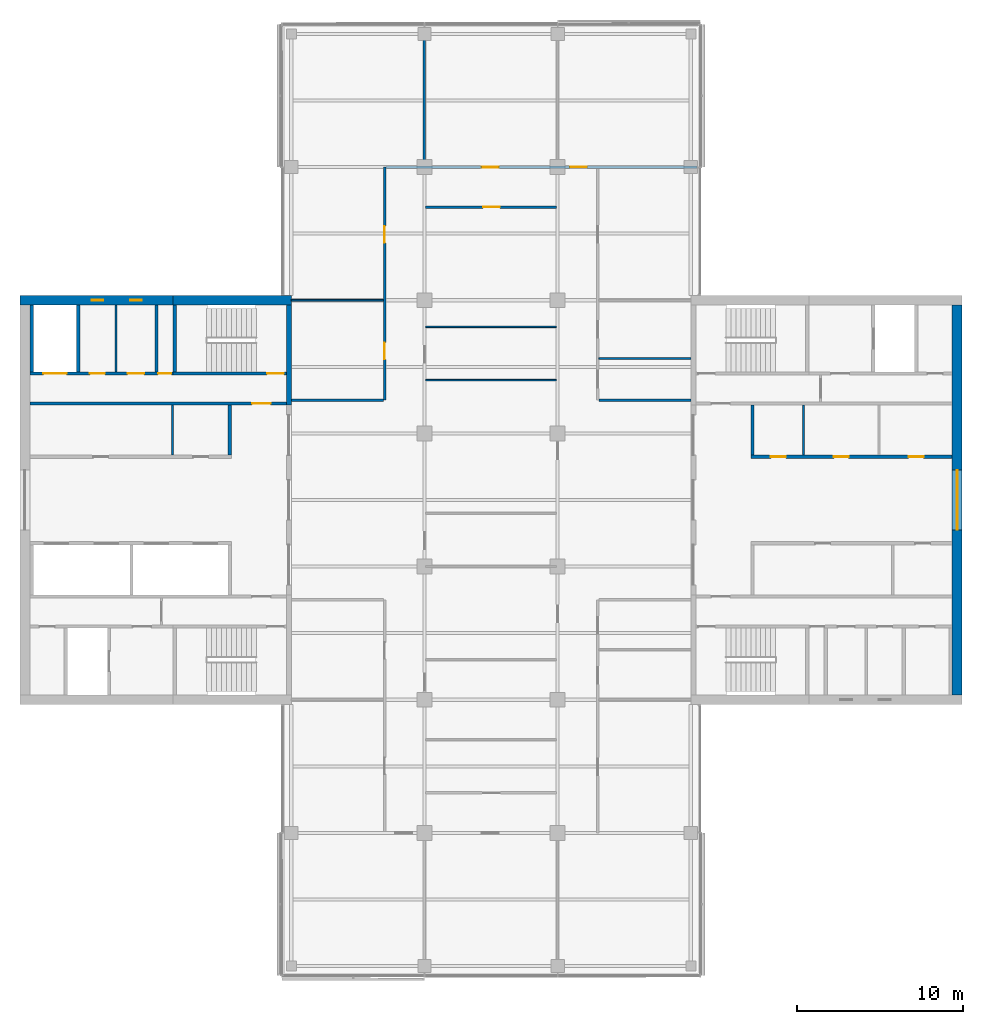
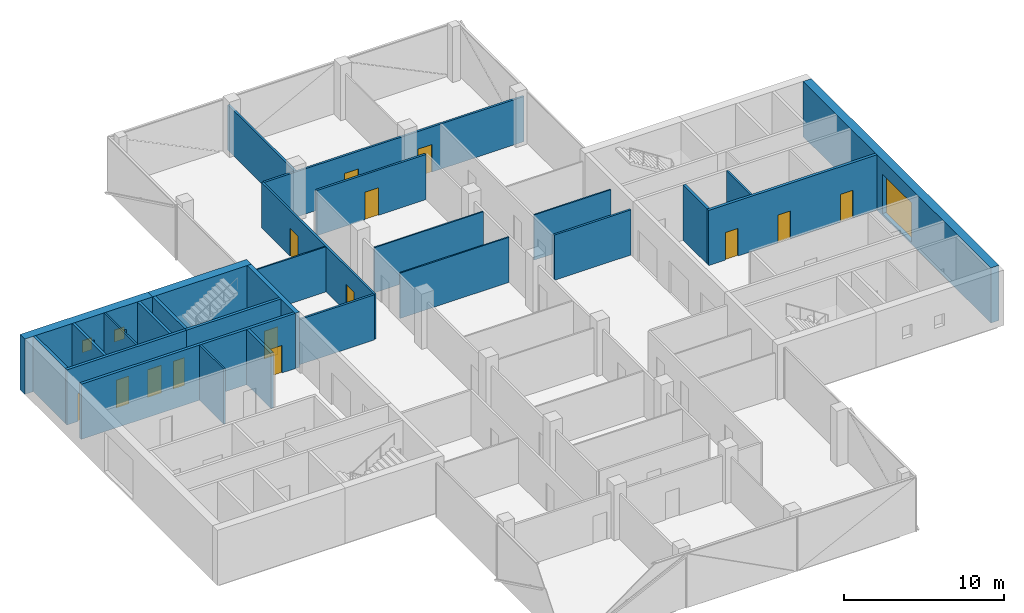
# One storey, part 11 of 15: 27 walls, 14 doors, 3 windows, 17 openings.
"""IFC4 building model written with IfcOpenShell, lengths in metres."""

import ifcopenshell
import ifcopenshell.guid

model = None  # the IFC model being written
_history = None  # IfcOwnerHistory: only IFC2X3 demands one
_inside = {}  # id of a spatial element -> (the spatial element, [elements in it])
_under = {}  # id of a project, library or spatial element -> (it, [spatial elements below it])
_declared = {}  # id of a project -> (the project, [libraries it declares])
_typed = {}  # id of a type object -> (the type object, [elements of that type])
_made_of = {}  # id of a material, layer set ... -> (it, [elements and type objects made of it])


def new_model(schema):
    """Start an empty IFC model of exactly this schema.

    Asked for "IFC4X3", IfcOpenShell would pick the latest addendum, in which some entities
    have other attributes; the version numbers below select the first issue.
    IFC2X3 requires an IfcOwnerHistory on every rooted entity: one is made here for all.
    """
    global model, _history
    if schema == "IFC4X3":
        model = ifcopenshell.file(schema_version=(4, 3, 0, 0))
    else:
        model = ifcopenshell.file(schema=schema)
    _inside.clear()
    _under.clear()
    _declared.clear()
    _typed.clear()
    _made_of.clear()
    _history = None
    if model.schema == "IFC2X3":
        org = make("IfcOrganization", Name="unknown")
        user = make(
            "IfcPersonAndOrganization",
            ThePerson=make("IfcPerson", FamilyName="unknown"),
            TheOrganization=org,
        )
        app = make(
            "IfcApplication",
            ApplicationDeveloper=org,
            Version="unknown",
            ApplicationFullName="unknown",
            ApplicationIdentifier="unknown",
        )
        _history = make(
            "IfcOwnerHistory",
            OwningUser=user,
            OwningApplication=app,
            ChangeAction="ADDED",
            CreationDate=0,
        )
    return model


def make(cls, **values):
    """One entity of the class cls with the attributes given. An attribute that is None is left unset."""
    return model.create_entity(
        cls, **{name: value for name, value in values.items() if value is not None}
    )


def rooted(cls, **values):
    """An entity with a GlobalId (a new one), such as an element, a storey or a relation."""
    return make(cls, GlobalId=ifcopenshell.guid.new(), OwnerHistory=_history, **values)


def si_unit(unit_type, name, prefix=None):
    """IfcSIUnit, for example si_unit("LENGTHUNIT", "METRE", prefix="MILLI")."""
    return make("IfcSIUnit", UnitType=unit_type, Prefix=prefix, Name=name)


def assignment(units):
    """IfcUnitAssignment: the units of a project."""
    return None if units is None else make("IfcUnitAssignment", Units=units)


def point(xyz):
    """IfcCartesianPoint."""
    return None if xyz is None else make("IfcCartesianPoint", Coordinates=xyz)


def direction(xyz):
    """IfcDirection."""
    return None if xyz is None else make("IfcDirection", DirectionRatios=xyz)


def frame(location, z_axis=None, x_axis=None):
    """IfcAxis2Placement3D, a coordinate frame: its origin and axes. An axis left out is left unset."""
    return make(
        "IfcAxis2Placement3D",
        Location=point(location),
        Axis=direction(z_axis),
        RefDirection=direction(x_axis),
    )


def frame_2d(location, x_axis=None):
    """IfcAxis2Placement2D, a coordinate frame in the plane: its origin and x axis."""
    return make(
        "IfcAxis2Placement2D", Location=point(location), RefDirection=direction(x_axis)
    )


def origin():
    """The frame at (0, 0, 0) with its axes left unset."""
    return frame((0.0, 0.0, 0.0))


def place(relative_to, where):
    """IfcLocalPlacement: puts the frame where relative to a parent placement (None: the world)."""
    return make(
        "IfcLocalPlacement", PlacementRelTo=relative_to, RelativePlacement=where
    )


def context(
    kind, dimensions, precision=None, world=None, true_north=None, identifier=None
):
    """IfcGeometricRepresentationContext, for example the 3D "Model" context."""
    return make(
        "IfcGeometricRepresentationContext",
        ContextIdentifier=identifier,
        ContextType=kind,
        CoordinateSpaceDimension=dimensions,
        Precision=precision,
        WorldCoordinateSystem=world,
        TrueNorth=true_north,
    )


def subcontext(parent, identifier, kind, view, scale=None):
    """IfcGeometricRepresentationSubContext, for example "Body" below "Model"."""
    return make(
        "IfcGeometricRepresentationSubContext",
        ContextIdentifier=identifier,
        ContextType=kind,
        ParentContext=parent,
        TargetScale=scale,
        TargetView=view,
    )


def project(units=None, contexts=None):
    """IfcProject with its units and contexts."""
    return rooted(
        "IfcProject",
        Name="project",
        RepresentationContexts=contexts,
        UnitsInContext=assignment(units),
    )


def spatial(cls, under=None, at=None, **own):
    """A site, building, storey or space (cls), placed at a placement, below another one or the project."""
    s = rooted(cls, ObjectPlacement=at, **own)
    if under is not None:
        _under.setdefault(under.id(), (under, []))[1].append(s)
    return s


def profile(cls, at=None, kind="AREA", **sizes):
    """A parametric profile (cls). Its sizes go by their IFC names, for example OverallWidth=200.0."""
    return make(cls, ProfileType=kind, Position=at, **sizes)


def rectangle(**sizes):
    """IfcRectangleProfileDef."""
    return profile("IfcRectangleProfileDef", **sizes)


def extrude(swept, where, along, depth):
    """IfcExtrudedAreaSolid: the profile swept, set in the frame where, extruded along a direction by depth."""
    return make(
        "IfcExtrudedAreaSolid",
        SweptArea=swept,
        Position=where,
        ExtrudedDirection=direction(along),
        Depth=depth,
    )


def shape(context_of_items, identifier, shape_type, items):
    """IfcShapeRepresentation: the items that make up one representation, for example the "Body"."""
    return make(
        "IfcShapeRepresentation",
        ContextOfItems=context_of_items,
        RepresentationIdentifier=identifier,
        RepresentationType=shape_type,
        Items=items,
    )


def material(Name=None, Category=None):
    """IfcMaterial."""
    return make("IfcMaterial", Name=Name, Category=Category)


def layer(
    of_material, thickness, ventilated=None, Name=None, Category=None, Priority=None
):
    """IfcMaterialLayer: one layer of a wall or slab, of a material (None: an air gap)."""
    return make(
        "IfcMaterialLayer",
        Material=of_material,
        LayerThickness=thickness,
        IsVentilated=ventilated,
        Name=Name,
        Category=Category,
        Priority=Priority,
    )


def layer_set(layers, Name=None):
    """IfcMaterialLayerSet."""
    return make("IfcMaterialLayerSet", MaterialLayers=layers, LayerSetName=Name)


def constituent(of_material, Name=None, Category=None, fraction=None):
    """IfcMaterialConstituent: one of the materials an element consists of."""
    return make(
        "IfcMaterialConstituent",
        Name=Name,
        Material=of_material,
        Fraction=fraction,
        Category=Category,
    )


def constituent_set(constituents=None, Name=None):
    """IfcMaterialConstituentSet."""
    return make(
        "IfcMaterialConstituentSet", Name=Name, MaterialConstituents=constituents
    )


def made_of(thing, what):
    """Note that an element or type object is made of a material, layer set ...; save() writes the relation."""
    if what is not None:
        _made_of.setdefault(what.id(), (what, []))[1].append(thing)
    return thing


def type_object(cls, material=None, **own):
    """A type object (cls), such as IfcWallType, which elements share."""
    return made_of(rooted(cls, **own), material)


def element(
    cls,
    number,
    at=None,
    inside=None,
    cuts=None,
    type_object=None,
    material=None,
    context=None,
    identifier="Body",
    shape_type=None,
    held_by="IfcProductDefinitionShape",
    body=None,
    shapes=None,
    **own,
):
    """One element of the class cls, such as IfcWall. Its Tag is "e" and its number.

    at: its placement. inside: the storey or other place that contains it. cuts: it is an
    opening in that element (IfcRelVoidsElement). A single representation is given by context,
    identifier, shape_type and body (its items); several are given by shapes. held_by: the class
    of the entity that holds the representations. save() writes the other relations.
    """
    e = rooted(cls, Tag="e%d" % number, ObjectPlacement=at, **own)
    if body is not None:
        shapes = [shape(context, identifier, shape_type, body)]
    if shapes is not None:
        e.Representation = make(held_by, Representations=shapes)
    if inside is not None:
        _inside.setdefault(inside.id(), (inside, []))[1].append(e)
    if cuts is not None:
        rooted(
            "IfcRelVoidsElement", RelatingBuildingElement=cuts, RelatedOpeningElement=e
        )
    if type_object is not None:
        _typed.setdefault(type_object.id(), (type_object, []))[1].append(e)
    return made_of(e, material)


def fill(opening, filler):
    """IfcRelFillsElement: the door or window that sits in an opening."""
    return rooted(
        "IfcRelFillsElement",
        RelatingOpeningElement=opening,
        RelatedBuildingElement=filler,
    )


def aggregate(whole, parts):
    """IfcRelAggregates: a whole, such as a stair, and the parts it consists of."""
    return rooted("IfcRelAggregates", RelatingObject=whole, RelatedObjects=parts)


def save(model, path):
    """Write the relations noted so far, then the file.

    IfcRelAggregates (storeys below a building ...), IfcRelContainedInSpatialStructure (elements
    in a storey), IfcRelDefinesByType, IfcRelAssociatesMaterial and IfcRelDeclares: one each for
    every whole, place, type object, material and project.
    """
    for whole, parts in _under.values():
        aggregate(whole, parts)
    for where, things in _inside.values():
        rooted(
            "IfcRelContainedInSpatialStructure",
            RelatedElements=things,
            RelatingStructure=where,
        )
    for kind, things in _typed.values():
        rooted("IfcRelDefinesByType", RelatedObjects=things, RelatingType=kind)
    for what, things in _made_of.values():
        rooted("IfcRelAssociatesMaterial", RelatedObjects=things, RelatingMaterial=what)
    for by, libraries in _declared.values():
        rooted("IfcRelDeclares", RelatingContext=by, RelatedDefinitions=libraries)
    model.write(path)


model = new_model("IFC4")

# Units and contexts
model_context = context("Model", 3, precision=1e-05, world=origin(), true_north=direction((0.0, 1.0)))
body_context = subcontext(model_context, "Body", "Model", "MODEL_VIEW")
ifc_project = project(units=[si_unit("LENGTHUNIT", "METRE"), si_unit("AREAUNIT", "SQUARE_METRE"), si_unit("VOLUMEUNIT", "CUBIC_METRE"), si_unit("PLANEANGLEUNIT", "RADIAN"), si_unit("MASSUNIT", "GRAM", prefix="KILO")], contexts=[model_context])

# Site, building, storey
site_placement = place(None, origin())
site = spatial("IfcSite", under=ifc_project, at=site_placement, CompositionType="ELEMENT")
building_placement = place(site_placement, origin())
building = spatial("IfcBuilding", under=site, at=building_placement, Name="Crosswind Convention Tower", CompositionType="ELEMENT")
storey_placement = place(building_placement, frame((0.0, 0.0, 195.699951171875)))
storey = spatial("IfcBuildingStorey", under=building, at=storey_placement, Name="L41", CompositionType="ELEMENT", Elevation=195.699951171875)

# Walls
ifc_material_1 = material(Name="Concrete blockwork", Category="masonry")
ifc_layer_1 = layer(ifc_material_1, 0.199951171875)
ifc_layer_set_1 = layer_set([ifc_layer_1], Name="Blockwork partition wall 200")
wall_type_1 = type_object("IfcWallType", Name="Blockwork partition wall 200", PredefinedType="PARTITIONING", material=ifc_layer_set_1)
wall_1_placement = place(storey_placement, frame((104.89990234375, 111.699951171875, 0.0), z_axis=(0.0, 0.0, 1.0), x_axis=(0.0, -1.0, 0.0)))
element("IfcWall", 1, at=wall_1_placement, inside=storey, type_object=wall_type_1, Name="Wall MRSE W L41", PredefinedType="PARTITIONING", context=body_context, shape_type="SweptSolid", body=[
    extrude(rectangle(XDim=4.0, YDim=0.199951171875, at=frame_2d((2.0, 0.0))), origin(), (0.0, 0.0, 1.0), 4.199951171875),
])
ifc_material_2 = material(Name="Concrete C50/60", Category="concrete")
ifc_layer_2 = layer(ifc_material_2, 0.300048828125)
ifc_layer_set_2 = layer_set([ifc_layer_2], Name="Concrete C50/60")
wall_type_2 = type_object("IfcWallType", Name="Concrete inner core wall 300", PredefinedType="SHEAR", material=ifc_layer_set_2)
wall_2_placement = place(storey_placement, frame((112.85009765625, 111.699951171875, 0.0), z_axis=(0.0, 0.0, 1.0), x_axis=(0.0, -1.0, 0.0)))
element("IfcWall", 2, at=wall_2_placement, inside=storey, type_object=wall_type_2, Name="Wall EM W L41", PredefinedType="SHEAR", context=body_context, shape_type="SweptSolid", body=[
    extrude(rectangle(XDim=6.0, YDim=0.300048828125, at=frame_2d((3.0, 0.0))), origin(), (0.0, 0.0, 1.0), 4.199951171875),
])
ifc_layer_3 = layer(ifc_material_2, 0.199951171875)
ifc_layer_set_3 = layer_set([ifc_layer_3], Name="Concrete C50/60")
wall_type_3 = type_object("IfcWallType", Name="Concrete shaft and stair wall 200", PredefinedType="SHEAR", material=ifc_layer_set_3)
wall_3_placement = place(storey_placement, frame((140.699951171875, 102.699951171875, 0.0), z_axis=(0.0, 0.0, 1.0), x_axis=(0.0, 1.0, 0.0)))
element("IfcWall", 3, at=wall_3_placement, inside=storey, type_object=wall_type_3, Name="Wall RPEND E L41", PredefinedType="SHEAR", context=body_context, shape_type="SweptSolid", body=[
    extrude(rectangle(XDim=3.0, YDim=0.199951171875, at=frame_2d((1.5, 0.0))), origin(), (0.0, 0.0, 1.0), 4.199951171875),
])

# Wall, openings, doors
wall_4_placement = place(storey_placement, frame((140.60009765625, 102.60009765625, 0.0), z_axis=(0.0, 0.0, 1.0), x_axis=(1.0, 0.0, 0.0)))
wall_4 = element("IfcWall", 4, at=wall_4_placement, inside=storey, type_object=wall_type_3, Name="Wall RPFRONT E L41", PredefinedType="SHEAR", context=body_context, shape_type="SweptSolid", body=[
    extrude(rectangle(XDim=12.099853515625, YDim=0.199951171875, at=frame_2d((6.0498046875, 0.0))), origin(), (0.0, 0.0, 1.0), 4.199951171875),
])
opening_1_placement = place(wall_4_placement, frame((1.206298828125, 0.0, 0.0)))
opening_1 = element("IfcOpeningElement", 5, at=opening_1_placement, cuts=wall_4, Name="Opening D106", PredefinedType="OPENING", context=body_context, shape_type="SweptSolid", body=[
    extrude(rectangle(XDim=0.89990234375, YDim=2.10009765625, at=frame_2d((0.449951171875, 1.050048828125))), frame((0.0, 0.10986328125, 0.0), z_axis=(0.0, -1.0, 0.0), x_axis=(1.0, 0.0, 0.0)), (0.0, 0.0, 1.0), 0.219970703125),
])
opening_2_placement = place(wall_4_placement, frame((4.986083984375, 0.0, 0.0)))
opening_2 = element("IfcOpeningElement", 6, at=opening_2_placement, cuts=wall_4, Name="Opening D106", PredefinedType="OPENING", context=body_context, shape_type="SweptSolid", body=[
    extrude(rectangle(XDim=0.89990234375, YDim=2.10009765625, at=frame_2d((0.449951171875, 1.050048828125))), frame((0.0, 0.10986328125, 0.0), z_axis=(0.0, -1.0, 0.0), x_axis=(1.0, 0.0, 0.0)), (0.0, 0.0, 1.0), 0.219970703125),
])
opening_3_placement = place(wall_4_placement, frame((9.479736328125, 0.0, 0.0)))
opening_3 = element("IfcOpeningElement", 7, at=opening_3_placement, cuts=wall_4, Name="Opening D106", PredefinedType="OPENING", context=body_context, shape_type="SweptSolid", body=[
    extrude(rectangle(XDim=0.89990234375, YDim=2.10009765625, at=frame_2d((0.449951171875, 1.050048828125))), frame((0.0, 0.10986328125, 0.0), z_axis=(0.0, -1.0, 0.0), x_axis=(1.0, 0.0, 0.0)), (0.0, 0.0, 1.0), 0.219970703125),
])
ifc_material_3 = material(Name="Timber door", Category="wood")
door_type_1 = type_object("IfcDoorType", Name="Single leaf door 900x2100", OperationType="NOTDEFINED", PredefinedType="DOOR", material=ifc_material_3)
door_1_placement = place(opening_1_placement, origin())
door_1 = element("IfcDoor", 8, at=door_1_placement, inside=storey, type_object=door_type_1, Name="Door to meeting room L41", ObjectType="D106", OperationType="SINGLE_SWING_RIGHT", OverallHeight=2.10009765625, OverallWidth=0.89990234375, PredefinedType="DOOR", context=body_context, shape_type="SweptSolid", body=[
    extrude(rectangle(XDim=0.89990234375, YDim=2.10009765625, at=frame_2d((0.449951171875, 1.050048828125))), frame((0.0, 0.02490234375, 0.0), z_axis=(0.0, -1.0, 0.0), x_axis=(1.0, 0.0, 0.0)), (0.0, 0.0, 1.0), 0.050048828125),
])
fill(opening_1, door_1)
door_2_placement = place(opening_2_placement, origin())
door_2 = element("IfcDoor", 9, at=door_2_placement, inside=storey, type_object=door_type_1, Name="Door to pantry L41", ObjectType="D106", OperationType="SINGLE_SWING_RIGHT", OverallHeight=2.10009765625, OverallWidth=0.89990234375, PredefinedType="DOOR", context=body_context, shape_type="SweptSolid", body=[
    extrude(rectangle(XDim=0.89990234375, YDim=2.10009765625, at=frame_2d((0.449951171875, 1.050048828125))), frame((0.0, 0.02490234375, 0.0), z_axis=(0.0, -1.0, 0.0), x_axis=(1.0, 0.0, 0.0)), (0.0, 0.0, 1.0), 0.050048828125),
])
fill(opening_2, door_2)
door_3_placement = place(opening_3_placement, origin())
door_3 = element("IfcDoor", 10, at=door_3_placement, inside=storey, type_object=door_type_1, Name="Door to telecoms room L41", ObjectType="D106", OperationType="SINGLE_SWING_RIGHT", OverallHeight=2.10009765625, OverallWidth=0.89990234375, PredefinedType="DOOR", context=body_context, shape_type="SweptSolid", body=[
    extrude(rectangle(XDim=0.89990234375, YDim=2.10009765625, at=frame_2d((0.449951171875, 1.050048828125))), frame((0.0, 0.02490234375, 0.0), z_axis=(0.0, -1.0, 0.0), x_axis=(1.0, 0.0, 0.0)), (0.0, 0.0, 1.0), 0.050048828125),
])
fill(opening_3, door_3)

# Wall
wall_5_placement = place(storey_placement, frame((109.300048828125, 105.699951171875, 0.0), z_axis=(0.0, 0.0, 1.0), x_axis=(0.0, -1.0, 0.0)))
element("IfcWall", 11, at=wall_5_placement, inside=storey, type_object=wall_type_3, Name="Wall RMEND W L41", PredefinedType="SHEAR", context=body_context, shape_type="SweptSolid", body=[
    extrude(rectangle(XDim=3.0, YDim=0.199951171875, at=frame_2d((1.5, 0.0))), origin(), (0.0, 0.0, 1.0), 4.199951171875),
])

# Wall, opening, door
wall_6_placement = place(storey_placement, frame((112.699951171875, 105.800048828125, 0.0), z_axis=(0.0, 0.0, 1.0), x_axis=(-1.0, 0.0, 0.0)))
wall_6 = element("IfcWall", 12, at=wall_6_placement, inside=storey, type_object=wall_type_3, Name="Wall HM W L41", PredefinedType="SHEAR", context=body_context, shape_type="SweptSolid", body=[
    extrude(rectangle(XDim=15.39990234375, YDim=0.199951171875, at=frame_2d((7.699951171875, 0.0))), origin(), (0.0, 0.0, 1.0), 4.199951171875),
])
opening_4_placement = place(wall_6_placement, frame((0.949951171875, 0.0, 0.0)))
opening_4 = element("IfcOpeningElement", 13, at=opening_4_placement, cuts=wall_6, Name="Opening D104", PredefinedType="OPENING", context=body_context, shape_type="SweptSolid", body=[
    extrude(rectangle(XDim=1.10009765625, YDim=2.10009765625, at=frame_2d((0.550048828125, 1.050048828125))), frame((0.0, 0.10986328125, 0.0), z_axis=(0.0, -1.0, 0.0), x_axis=(1.0, 0.0, 0.0)), (0.0, 0.0, 1.0), 0.219970703125),
])
ifc_material_4 = material(Name="Steel fire door", Category="steel")
door_type_2 = type_object("IfcDoorType", Name="Fire-rated single door 1100x2100", OperationType="NOTDEFINED", PredefinedType="DOOR", material=ifc_material_4)
door_4_placement = place(opening_4_placement, origin())
door_4 = element("IfcDoor", 14, at=door_4_placement, inside=storey, type_object=door_type_2, Name="Corridor door L41", ObjectType="D104", OperationType="SINGLE_SWING_LEFT", OverallHeight=2.10009765625, OverallWidth=1.10009765625, PredefinedType="DOOR", context=body_context, shape_type="SweptSolid", body=[
    extrude(rectangle(XDim=1.10009765625, YDim=2.10009765625, at=frame_2d((0.550048828125, 1.050048828125))), frame((0.0, 0.02490234375, 0.0), z_axis=(0.0, -1.0, 0.0), x_axis=(1.0, 0.0, 0.0)), (0.0, 0.0, 1.0), 0.050048828125),
])
fill(opening_4, door_4)

# Walls
for number, where, z_axis, x_axis, name in (
    (15, (106.0, 111.699951171875, 0.0), (0.0, 0.0, 1.0), (0.0, -1.0, 0.0), "Wall MSE W L41"),
    (16, (100.199951171875, 111.699951171875, 0.0), (0.0, 0.0, 1.0), (0.0, -1.0, 0.0), "Wall MFSW W L41"),
    (17, (97.39990234375, 111.699951171875, 0.0), (0.0, 0.0, 1.0), (0.0, -1.0, 0.0), "Wall MFSE W L41"),
):
    element("IfcWall", number, at=place(storey_placement, frame(where, z_axis=z_axis, x_axis=x_axis)), inside=storey, type_object=wall_type_3, Name=name, PredefinedType="SHEAR", context=body_context, shape_type="SweptSolid", body=[
        extrude(rectangle(XDim=4.0, YDim=0.199951171875, at=frame_2d((2.0, 0.0))), origin(), (0.0, 0.0, 1.0), 4.199951171875),
    ])

# Wall, opening, door
wall_7_placement = place(storey_placement, frame((112.699951171875, 107.60009765625, 0.0), z_axis=(0.0, 0.0, 1.0), x_axis=(-1.0, 0.0, 0.0)))
wall_7 = element("IfcWall", 18, at=wall_7_placement, inside=storey, type_object=wall_type_3, Name="Wall MCW W L41", PredefinedType="SHEAR", context=body_context, shape_type="SweptSolid", body=[
    extrude(rectangle(XDim=6.800048828125, YDim=0.199951171875, at=frame_2d((3.39990234375, 0.0))), origin(), (0.0, 0.0, 1.0), 4.199951171875),
])
opening_5_placement = place(wall_7_placement, frame((0.14990234375, 0.0, 0.0)))
opening_5 = element("IfcOpeningElement", 19, at=opening_5_placement, cuts=wall_7, Name="Opening D103", PredefinedType="OPENING", context=body_context, shape_type="SweptSolid", body=[
    extrude(rectangle(XDim=1.0, YDim=2.10009765625, at=frame_2d((0.5, 1.050048828125))), frame((0.0, 0.10986328125, 0.0), z_axis=(0.0, -1.0, 0.0), x_axis=(1.0, 0.0, 0.0)), (0.0, 0.0, 1.0), 0.219970703125),
])
door_type_3 = type_object("IfcDoorType", Name="Fire-rated single door 1000x2100", OperationType="NOTDEFINED", PredefinedType="DOOR", material=ifc_material_4)
door_5_placement = place(opening_5_placement, frame((1.0, 0.0, 0.0), z_axis=(0.0, 0.0, 1.0), x_axis=(-1.0, 0.0, 0.0)))
door_5 = element("IfcDoor", 20, at=door_5_placement, inside=storey, type_object=door_type_3, Name="Stair ST4 door L41", ObjectType="D103", OperationType="SINGLE_SWING_RIGHT", OverallHeight=2.10009765625, OverallWidth=1.0, PredefinedType="DOOR", context=body_context, shape_type="SweptSolid", body=[
    extrude(rectangle(XDim=1.0, YDim=2.10009765625, at=frame_2d((0.5, 1.050048828125))), frame((0.0, 0.02490234375, 0.0), z_axis=(0.0, -1.0, 0.0), x_axis=(1.0, 0.0, 0.0)), (0.0, 0.0, 1.0), 0.050048828125),
])
fill(opening_5, door_5)

# Wall, openings, doors
wall_8_placement = place(storey_placement, frame((105.89990234375, 107.60009765625, 0.0), z_axis=(0.0, 0.0, 1.0), x_axis=(-1.0, 0.0, 0.0)))
wall_8 = element("IfcWall", 21, at=wall_8_placement, inside=storey, type_object=wall_type_3, Name="Wall MCX W L41", PredefinedType="SHEAR", context=body_context, shape_type="SweptSolid", body=[
    extrude(rectangle(XDim=8.599853515625, YDim=0.199951171875, at=frame_2d((4.2998046875, 0.0))), origin(), (0.0, 0.0, 1.0), 4.199951171875),
])
opening_6_placement = place(wall_8_placement, frame((0.10009765625, 0.0, 0.0)))
opening_6 = element("IfcOpeningElement", 22, at=opening_6_placement, cuts=wall_8, Name="Opening D105", PredefinedType="OPENING", context=body_context, shape_type="SweptSolid", body=[
    extrude(rectangle(XDim=0.800048828125, YDim=2.10009765625, at=frame_2d((0.39990234375, 1.050048828125))), frame((0.0, 0.10986328125, 0.0), z_axis=(0.0, -1.0, 0.0), x_axis=(1.0, 0.0, 0.0)), (0.0, 0.0, 1.0), 0.219970703125),
])
opening_7_placement = place(wall_8_placement, frame((1.73876953125, 0.0, 0.0)))
opening_7 = element("IfcOpeningElement", 23, at=opening_7_placement, cuts=wall_8, Name="Opening D103", PredefinedType="OPENING", context=body_context, shape_type="SweptSolid", body=[
    extrude(rectangle(XDim=1.0, YDim=2.10009765625, at=frame_2d((0.5, 1.050048828125))), frame((0.0, 0.10986328125, 0.0), z_axis=(0.0, -1.0, 0.0), x_axis=(1.0, 0.0, 0.0)), (0.0, 0.0, 1.0), 0.219970703125),
])
opening_8_placement = place(wall_8_placement, frame((4.101318359375, 0.0, 0.0)))
opening_8 = element("IfcOpeningElement", 24, at=opening_8_placement, cuts=wall_8, Name="Opening D106", PredefinedType="OPENING", context=body_context, shape_type="SweptSolid", body=[
    extrude(rectangle(XDim=0.89990234375, YDim=2.10009765625, at=frame_2d((0.449951171875, 1.050048828125))), frame((0.0, 0.10986328125, 0.0), z_axis=(0.0, -1.0, 0.0), x_axis=(1.0, 0.0, 0.0)), (0.0, 0.0, 1.0), 0.219970703125),
])
opening_9_placement = place(wall_8_placement, frame((6.39990234375, 0.0, 0.0)))
opening_9 = element("IfcOpeningElement", 25, at=opening_9_placement, cuts=wall_8, Name="Opening LD2", PredefinedType="OPENING", context=body_context, shape_type="SweptSolid", body=[
    extrude(rectangle(XDim=1.39990234375, YDim=2.10009765625, at=frame_2d((0.699951171875, 1.050048828125))), frame((0.0, 0.10986328125, 0.0), z_axis=(0.0, -1.0, 0.0), x_axis=(1.0, 0.0, 0.0)), (0.0, 0.0, 1.0), 0.219970703125),
])
door_6_placement = place(opening_7_placement, frame((1.0, 0.0, 0.0), z_axis=(0.0, 0.0, 1.0), x_axis=(-1.0, 0.0, 0.0)))
door_6 = element("IfcDoor", 26, at=door_6_placement, inside=storey, type_object=door_type_3, Name="Door to accessible wc L41", ObjectType="D103", OperationType="SINGLE_SWING_LEFT", OverallHeight=2.10009765625, OverallWidth=1.0, PredefinedType="DOOR", context=body_context, shape_type="SweptSolid", body=[
    extrude(rectangle(XDim=1.0, YDim=2.10009765625, at=frame_2d((0.5, 1.050048828125))), frame((0.0, 0.02490234375, 0.0), z_axis=(0.0, -1.0, 0.0), x_axis=(1.0, 0.0, 0.0)), (0.0, 0.0, 1.0), 0.050048828125),
])
fill(opening_7, door_6)
ifc_material_5 = material(Name="Stainless steel", Category="steel")
door_type_4 = type_object("IfcDoorType", Name="Lift landing door 1400x2100", OperationType="DOUBLE_DOOR_SLIDING", PredefinedType="DOOR", material=ifc_material_5)
door_7_placement = place(opening_9_placement, origin())
door_7 = element("IfcDoor", 27, at=door_7_placement, inside=storey, type_object=door_type_4, Name="Landing door SV2 L41", ObjectType="LD2", OperationType="DOUBLE_DOOR_SLIDING", OverallHeight=2.10009765625, OverallWidth=1.39990234375, PredefinedType="DOOR", context=body_context, shape_type="SweptSolid", body=[
    extrude(rectangle(XDim=1.39990234375, YDim=2.10009765625, at=frame_2d((0.699951171875, 1.050048828125))), frame((0.0, 0.02490234375, 0.0), z_axis=(0.0, -1.0, 0.0), x_axis=(1.0, 0.0, 0.0)), (0.0, 0.0, 1.0), 0.050048828125),
])
fill(opening_9, door_7)
door_type_5 = type_object("IfcDoorType", Name="Riser access door 800x2100", OperationType="NOTDEFINED", PredefinedType="DOOR", material=ifc_material_4)
door_8_placement = place(opening_6_placement, frame((0.800048828125, 0.0, 0.0), z_axis=(0.0, 0.0, 1.0), x_axis=(-1.0, 0.0, 0.0)))
door_8 = element("IfcDoor", 28, at=door_8_placement, inside=storey, type_object=door_type_5, Name="Riser door L41", ObjectType="D105", OperationType="SINGLE_SWING_LEFT", OverallHeight=2.10009765625, OverallWidth=0.800048828125, PredefinedType="DOOR", context=body_context, shape_type="SweptSolid", body=[
    extrude(rectangle(XDim=0.800048828125, YDim=2.10009765625, at=frame_2d((0.39990234375, 1.050048828125))), frame((0.0, 0.02490234375, 0.0), z_axis=(0.0, -1.0, 0.0), x_axis=(1.0, 0.0, 0.0)), (0.0, 0.0, 1.0), 0.050048828125),
])
fill(opening_6, door_8)
door_9_placement = place(opening_8_placement, frame((0.89990234375, 0.0, 0.0), z_axis=(0.0, 0.0, 1.0), x_axis=(-1.0, 0.0, 0.0)))
door_9 = element("IfcDoor", 29, at=door_9_placement, inside=storey, type_object=door_type_1, Name="Door to wc L41", ObjectType="D106", OperationType="SINGLE_SWING_LEFT", OverallHeight=2.10009765625, OverallWidth=0.89990234375, PredefinedType="DOOR", context=body_context, shape_type="SweptSolid", body=[
    extrude(rectangle(XDim=0.89990234375, YDim=2.10009765625, at=frame_2d((0.449951171875, 1.050048828125))), frame((0.0, 0.02490234375, 0.0), z_axis=(0.0, -1.0, 0.0), x_axis=(1.0, 0.0, 0.0)), (0.0, 0.0, 1.0), 0.050048828125),
])
fill(opening_8, door_9)

# Walls
ifc_material_6 = material(Name="Gypsum plasterboard partition", Category="gypsum")
ifc_layer_4 = layer(ifc_material_6, 0.125)
ifc_layer_set_4 = layer_set([ifc_layer_4], Name="Drywall partition wall 125")
wall_type_4 = type_object("IfcWallType", Name="Drywall partition wall 125", PredefinedType="PARTITIONING", material=ifc_layer_set_4)
for number, where, z_axis, x_axis, name in (
    (30, (143.77490234375, 102.699951171875, 0.0), (0.0, 0.0, 1.0), (0.0, 1.0, 0.0), "Wall RPP1 E L41"),
    (31, (105.867919921875, 105.699951171875, 0.0), (0.0, 0.0, 1.0), (0.0, -1.0, 0.0), "Wall RMP1 W L41"),
):
    element("IfcWall", number, at=place(storey_placement, frame(where, z_axis=z_axis, x_axis=x_axis)), inside=storey, type_object=wall_type_4, Name=name, PredefinedType="PARTITIONING", context=body_context, shape_type="SweptSolid", body=[
        extrude(rectangle(XDim=3.0, YDim=0.125, at=frame_2d((1.5, 0.0))), origin(), (0.0, 0.0, 1.0), 4.199951171875),
    ])
wall_9_placement = place(storey_placement, frame((102.4599609375, 111.699951171875, 0.0), z_axis=(0.0, 0.0, 1.0), x_axis=(0.0, -1.0, 0.0)))
element("IfcWall", 32, at=wall_9_placement, inside=storey, type_object=wall_type_4, Name="Wall MWP1 W L41", PredefinedType="PARTITIONING", context=body_context, shape_type="SweptSolid", body=[
    extrude(rectangle(XDim=4.0, YDim=0.125, at=frame_2d((2.0, 0.0))), origin(), (0.0, 0.0, 1.0), 4.199951171875),
])
ifc_material_7 = material(Name="Plasterboard partition", Category="gypsum")
ifc_layer_5 = layer(ifc_material_7, 0.10009765625)
ifc_layer_set_5 = layer_set([ifc_layer_5], Name="PARTITION 100 METAL STUD")
wall_type_5 = type_object("IfcWallType", Name="PARTITION 100 METAL STUD", PredefinedType="PARTITIONING", material=ifc_layer_set_5)
wall_10_placement = place(storey_placement, frame((121.074951171875, 107.199951171875, 0.0), z_axis=(0.0, 0.0, 1.0), x_axis=(1.0, 0.0, 0.0)))
element("IfcWall", 33, at=wall_10_placement, inside=storey, type_object=wall_type_5, Name="Partition wall WT40", PredefinedType="PARTITIONING", context=body_context, shape_type="SweptSolid", body=[
    extrude(rectangle(XDim=7.85009765625, YDim=0.10009765625, at=frame_2d((3.925048828125, 0.0))), origin(), (0.0, 0.0, 1.0), 3.43994140625),
])
wall_11_placement = place(storey_placement, frame((131.47509765625, 108.5, 0.0), z_axis=(0.0, 0.0, 1.0), x_axis=(1.0, 0.0, 0.0)))
element("IfcWall", 34, at=wall_11_placement, inside=storey, type_object=wall_type_5, Name="Partition wall WT40", PredefinedType="PARTITIONING", context=body_context, shape_type="SweptSolid", body=[
    extrude(rectangle(XDim=5.52490234375, YDim=0.10009765625, at=frame_2d((2.762451171875, 0.0))), origin(), (0.0, 0.0, 1.0), 3.43994140625),
])
wall_12_placement = place(storey_placement, frame((121.074951171875, 110.39990234375, 0.0), z_axis=(0.0, 0.0, 1.0), x_axis=(1.0, 0.0, 0.0)))
element("IfcWall", 35, at=wall_12_placement, inside=storey, type_object=wall_type_5, Name="Partition wall WT40", PredefinedType="PARTITIONING", context=body_context, shape_type="SweptSolid", body=[
    extrude(rectangle(XDim=7.85009765625, YDim=0.10009765625, at=frame_2d((3.925048828125, 0.0))), origin(), (0.0, 0.0, 1.0), 3.43994140625),
])
wall_13_placement = place(storey_placement, frame((113.0, 112.0, 0.0), z_axis=(0.0, 0.0, 1.0), x_axis=(1.0, 0.0, 0.0)))
element("IfcWall", 36, at=wall_13_placement, inside=storey, type_object=wall_type_5, Name="Partition wall WT40", PredefinedType="PARTITIONING", context=body_context, shape_type="SweptSolid", body=[
    extrude(rectangle(XDim=5.52490234375, YDim=0.10009765625, at=frame_2d((2.762451171875, 0.0))), origin(), (0.0, 0.0, 1.0), 3.43994140625),
])

# Wall, openings, doors
ifc_material_8 = material(Name="Fire-board partition with mineral wool", Category="gypsum")
ifc_layer_6 = layer(ifc_material_8, 0.14990234375)
ifc_layer_set_6 = layer_set([ifc_layer_6], Name="TENANCY WALL 150 TWO-HOUR BOARD")
wall_type_6 = type_object("IfcWallType", Name="TENANCY WALL 150 TWO-HOUR BOARD", PredefinedType="PARTITIONING", material=ifc_layer_set_6)
wall_14_placement = place(storey_placement, frame((118.60009765625, 106.0, 0.0), z_axis=(0.0, 0.0, 1.0), x_axis=(0.0, 1.0, 0.0)))
wall_14 = element("IfcWall", 37, at=wall_14_placement, inside=storey, type_object=wall_type_6, Name="Tenancy wall WT41", PredefinedType="PARTITIONING", context=body_context, shape_type="SweptSolid", body=[
    extrude(rectangle(XDim=14.0, YDim=0.14990234375, at=frame_2d((7.0, 0.0))), origin(), (0.0, 0.0, 1.0), 3.43994140625),
])
opening_10_placement = place(wall_14_placement, frame((2.449951171875, 0.0, 0.0)))
opening_10 = element("IfcOpeningElement", 38, at=opening_10_placement, cuts=wall_14, Name="Opening L41-56", PredefinedType="OPENING", context=body_context, shape_type="SweptSolid", body=[
    extrude(rectangle(XDim=1.0, YDim=2.10009765625, at=frame_2d((0.5, 1.050048828125))), frame((0.0, 0.0849609375, 0.0), z_axis=(0.0, -1.0, 0.0), x_axis=(1.0, 0.0, 0.0)), (0.0, 0.0, 1.0), 0.169921875),
])
opening_11_placement = place(wall_14_placement, frame((9.449951171875, 0.0, 0.0)))
opening_11 = element("IfcOpeningElement", 39, at=opening_11_placement, cuts=wall_14, Name="Opening L41-57", PredefinedType="OPENING", context=body_context, shape_type="SweptSolid", body=[
    extrude(rectangle(XDim=1.0, YDim=2.10009765625, at=frame_2d((0.5, 1.050048828125))), frame((0.0, 0.0849609375, 0.0), z_axis=(0.0, -1.0, 0.0), x_axis=(1.0, 0.0, 0.0)), (0.0, 0.0, 1.0), 0.169921875),
])
ifc_material_9 = material(Name="Timber fire door", Category="wood")
door_type_6 = type_object("IfcDoorType", Name="TENANCY ENTRANCE DOOR 1000X2100 FD30S", OperationType="NOTDEFINED", PredefinedType="DOOR", material=ifc_material_9)
door_10_placement = place(opening_10_placement, origin())
door_10 = element("IfcDoor", 40, at=door_10_placement, inside=storey, type_object=door_type_6, Name="Door L41-56", ObjectType="D41", OperationType="SINGLE_SWING_LEFT", OverallHeight=2.10009765625, OverallWidth=1.0, PredefinedType="DOOR", context=body_context, shape_type="SweptSolid", body=[
    extrude(rectangle(XDim=1.0, YDim=2.10009765625, at=frame_2d((0.5, 1.050048828125))), frame((0.0, 0.02490234375, 0.0), z_axis=(0.0, -1.0, 0.0), x_axis=(1.0, 0.0, 0.0)), (0.0, 0.0, 1.0), 0.050048828125),
])
fill(opening_10, door_10)
door_11_placement = place(opening_11_placement, origin())
door_11 = element("IfcDoor", 41, at=door_11_placement, inside=storey, type_object=door_type_6, Name="Door L41-57", ObjectType="D41", OperationType="SINGLE_SWING_LEFT", OverallHeight=2.10009765625, OverallWidth=1.0, PredefinedType="DOOR", context=body_context, shape_type="SweptSolid", body=[
    extrude(rectangle(XDim=1.0, YDim=2.10009765625, at=frame_2d((0.5, 1.050048828125))), frame((0.0, 0.02490234375, 0.0), z_axis=(0.0, -1.0, 0.0), x_axis=(1.0, 0.0, 0.0)), (0.0, 0.0, 1.0), 0.050048828125),
])
fill(opening_11, door_11)

# Walls
wall_15_placement = place(storey_placement, frame((121.0, 120.074951171875, 0.0), z_axis=(0.0, 0.0, 1.0), x_axis=(0.0, 1.0, 0.0)))
element("IfcWall", 42, at=wall_15_placement, inside=storey, type_object=wall_type_6, Name="Tenancy wall WT41", PredefinedType="PARTITIONING", context=body_context, shape_type="SweptSolid", body=[
    extrude(rectangle(XDim=8.295166015625, YDim=0.14990234375, at=frame_2d((4.1474609375, 0.0))), origin(), (0.0, 0.0, 1.0), 3.43994140625),
])
for number, where, z_axis, x_axis, name in (
    (43, (113.0, 106.0, 0.0), (0.0, 0.0, 1.0), (1.0, 0.0, 0.0), "Tenancy wall WT41"),
    (44, (131.47509765625, 106.0, 0.0), (0.0, 0.0, 1.0), (1.0, 0.0, 0.0), "Tenancy wall WT41"),
):
    element("IfcWall", number, at=place(storey_placement, frame(where, z_axis=z_axis, x_axis=x_axis)), inside=storey, type_object=wall_type_6, Name=name, PredefinedType="PARTITIONING", context=body_context, shape_type="SweptSolid", body=[
        extrude(rectangle(XDim=5.52490234375, YDim=0.14990234375, at=frame_2d((2.762451171875, 0.0))), origin(), (0.0, 0.0, 1.0), 3.43994140625),
    ])

# Wall, opening, door
wall_16_placement = place(storey_placement, frame((121.074951171875, 117.60009765625, 0.0), z_axis=(0.0, 0.0, 1.0), x_axis=(1.0, 0.0, 0.0)))
wall_16 = element("IfcWall", 45, at=wall_16_placement, inside=storey, type_object=wall_type_6, Name="Tenancy wall WT41", PredefinedType="PARTITIONING", context=body_context, shape_type="SweptSolid", body=[
    extrude(rectangle(XDim=7.85009765625, YDim=0.14990234375, at=frame_2d((3.925048828125, 0.0))), origin(), (0.0, 0.0, 1.0), 3.43994140625),
])
opening_12_placement = place(wall_16_placement, frame((3.449951171875, 0.0, 0.0)))
opening_12 = element("IfcOpeningElement", 46, at=opening_12_placement, cuts=wall_16, Name="Opening L41-70", PredefinedType="OPENING", context=body_context, shape_type="SweptSolid", body=[
    extrude(rectangle(XDim=1.0, YDim=2.10009765625, at=frame_2d((0.5, 1.050048828125))), frame((0.0, 0.0849609375, 0.0), z_axis=(0.0, -1.0, 0.0), x_axis=(1.0, 0.0, 0.0)), (0.0, 0.0, 1.0), 0.169921875),
])
door_12_placement = place(opening_12_placement, frame((1.0, 0.0, 0.0), z_axis=(0.0, 0.0, 1.0), x_axis=(-1.0, 0.0, 0.0)))
door_12 = element("IfcDoor", 47, at=door_12_placement, inside=storey, type_object=door_type_6, Name="Door L41-70", ObjectType="D41", OperationType="SINGLE_SWING_LEFT", OverallHeight=2.10009765625, OverallWidth=1.0, PredefinedType="DOOR", context=body_context, shape_type="SweptSolid", body=[
    extrude(rectangle(XDim=1.0, YDim=2.10009765625, at=frame_2d((0.5, 1.050048828125))), frame((0.0, 0.02490234375, 0.0), z_axis=(0.0, -1.0, 0.0), x_axis=(1.0, 0.0, 0.0)), (0.0, 0.0, 1.0), 0.050048828125),
])
fill(opening_12, door_12)

# Wall, openings, doors
wall_17_placement = place(storey_placement, frame((118.675048828125, 120.0, 0.0), z_axis=(0.0, 0.0, 1.0), x_axis=(1.0, 0.0, 0.0)))
wall_17 = element("IfcWall", 48, at=wall_17_placement, inside=storey, type_object=wall_type_6, Name="Tenancy wall WT41", PredefinedType="PARTITIONING", context=body_context, shape_type="SweptSolid", body=[
    extrude(rectangle(XDim=18.695068359375, YDim=0.14990234375, at=frame_2d((9.34765625, 0.0))), origin(), (0.0, 0.0, 1.0), 3.43994140625),
])
opening_13_placement = place(wall_17_placement, frame((5.77490234375, 0.0, 0.0)))
opening_13 = element("IfcOpeningElement", 49, at=opening_13_placement, cuts=wall_17, Name="Opening L41-60", PredefinedType="OPENING", context=body_context, shape_type="SweptSolid", body=[
    extrude(rectangle(XDim=1.0, YDim=2.10009765625, at=frame_2d((0.5, 1.050048828125))), frame((0.0, 0.0849609375, 0.0), z_axis=(0.0, -1.0, 0.0), x_axis=(1.0, 0.0, 0.0)), (0.0, 0.0, 1.0), 0.169921875),
])
opening_14_placement = place(wall_17_placement, frame((11.074951171875, 0.0, 0.0)))
opening_14 = element("IfcOpeningElement", 50, at=opening_14_placement, cuts=wall_17, Name="Opening L41-61", PredefinedType="OPENING", context=body_context, shape_type="SweptSolid", body=[
    extrude(rectangle(XDim=1.0, YDim=2.10009765625, at=frame_2d((0.5, 1.050048828125))), frame((0.0, 0.0849609375, 0.0), z_axis=(0.0, -1.0, 0.0), x_axis=(1.0, 0.0, 0.0)), (0.0, 0.0, 1.0), 0.169921875),
])
door_13_placement = place(opening_13_placement, origin())
door_13 = element("IfcDoor", 51, at=door_13_placement, inside=storey, type_object=door_type_6, Name="Door L41-60", ObjectType="D41", OperationType="SINGLE_SWING_LEFT", OverallHeight=2.10009765625, OverallWidth=1.0, PredefinedType="DOOR", context=body_context, shape_type="SweptSolid", body=[
    extrude(rectangle(XDim=1.0, YDim=2.10009765625, at=frame_2d((0.5, 1.050048828125))), frame((0.0, 0.02490234375, 0.0), z_axis=(0.0, -1.0, 0.0), x_axis=(1.0, 0.0, 0.0)), (0.0, 0.0, 1.0), 0.050048828125),
])
fill(opening_13, door_13)
door_14_placement = place(opening_14_placement, frame((1.0, 0.0, 0.0), z_axis=(0.0, 0.0, 1.0), x_axis=(-1.0, 0.0, 0.0)))
door_14 = element("IfcDoor", 52, at=door_14_placement, inside=storey, type_object=door_type_6, Name="Door L41-61", ObjectType="D41", OperationType="SINGLE_SWING_RIGHT", OverallHeight=2.10009765625, OverallWidth=1.0, PredefinedType="DOOR", context=body_context, shape_type="SweptSolid", body=[
    extrude(rectangle(XDim=1.0, YDim=2.10009765625, at=frame_2d((0.5, 1.050048828125))), frame((0.0, 0.02490234375, 0.0), z_axis=(0.0, -1.0, 0.0), x_axis=(1.0, 0.0, 0.0)), (0.0, 0.0, 1.0), 0.050048828125),
])
fill(opening_14, door_14)

# Wall, opening, window
ifc_material_10 = material(Name="Concrete C60/75", Category="concrete")
ifc_constituent_1 = constituent(ifc_material_10, Name="Structure")
ifc_material_11 = material(Name="Terracotta rainscreen", Category="ceramic")
ifc_constituent_2 = constituent(ifc_material_11, Name="Facing")
ifc_constituent_set = constituent_set(constituents=[ifc_constituent_1, ifc_constituent_2], Name="Concrete C60/75, Terracotta rainscreen")
wall_type_7 = type_object("IfcWallType", Name="Terracotta rainscreen on concrete core wall 600", PredefinedType="SHEAR", material=ifc_constituent_set)
wall_18_placement = place(storey_placement, frame((153.0, 88.300048828125, 0.0), z_axis=(0.0, 0.0, 1.0), x_axis=(0.0, 1.0, 0.0)))
wall_18 = element("IfcWall", 53, at=wall_18_placement, inside=storey, type_object=wall_type_7, Name="Wall O E L41", PredefinedType="SHEAR", context=body_context, shape_type="SweptSolid", body=[
    extrude(rectangle(XDim=23.39990234375, YDim=0.60009765625, at=frame_2d((11.699951171875, 0.0))), origin(), (0.0, 0.0, 1.0), 4.199951171875),
])
opening_15_placement = place(wall_18_placement, frame((9.89990234375, 0.0, 0.14990234375)))
opening_15 = element("IfcOpeningElement", 54, at=opening_15_placement, cuts=wall_18, Name="Opening W1", PredefinedType="OPENING", context=body_context, shape_type="SweptSolid", body=[
    extrude(rectangle(XDim=3.60009765625, YDim=3.0, at=frame_2d((1.800048828125, 1.5))), frame((0.0, 0.31005859375, 0.0), z_axis=(0.0, -1.0, 0.0), x_axis=(1.0, 0.0, 0.0)), (0.0, 0.0, 1.0), 0.6201171875),
])
ifc_material_12 = material(Name="Clear laminated glass in aluminium frame", Category="aluminium")
window_type_1 = type_object("IfcWindowType", Name="Lobby end window 3600x3000", PartitioningType="SINGLE_PANEL", PredefinedType="WINDOW", material=ifc_material_12)
window_1_placement = place(opening_15_placement, origin())
window_1 = element("IfcWindow", 55, at=window_1_placement, inside=storey, type_object=window_type_1, Name="Lobby end window L41", ObjectType="W1", OverallHeight=3.0, OverallWidth=3.60009765625, PartitioningType="SINGLE_PANEL", PredefinedType="WINDOW", context=body_context, shape_type="SweptSolid", body=[
    extrude(rectangle(XDim=3.60009765625, YDim=3.0, at=frame_2d((1.800048828125, 1.5))), frame((0.0, 0.030029296875, 0.0), z_axis=(0.0, -1.0, 0.0), x_axis=(1.0, 0.0, 0.0)), (0.0, 0.0, 1.0), 0.06005859375),
])
fill(opening_15, window_1)

# Wall
wall_19_placement = place(storey_placement, frame((113.0, 112.0, 0.0), z_axis=(0.0, 0.0, 1.0), x_axis=(-1.0, 0.0, 0.0)))
element("IfcWall", 56, at=wall_19_placement, inside=storey, type_object=wall_type_7, Name="Wall S1 W L41", PredefinedType="SHEAR", context=body_context, shape_type="SweptSolid", body=[
    extrude(rectangle(XDim=7.10009765625, YDim=0.60009765625, at=frame_2d((3.550048828125, 0.0))), origin(), (0.0, 0.0, 1.0), 4.199951171875),
])

# Wall, openings, windows
wall_20_placement = place(storey_placement, frame((105.89990234375, 112.0, 0.0), z_axis=(0.0, 0.0, 1.0), x_axis=(-1.0, 0.0, 0.0)))
wall_20 = element("IfcWall", 57, at=wall_20_placement, inside=storey, type_object=wall_type_7, Name="Wall S2 W L41", PredefinedType="SHEAR", context=body_context, shape_type="SweptSolid", body=[
    extrude(rectangle(XDim=9.199951171875, YDim=0.60009765625, at=frame_2d((4.60009765625, 0.0))), origin(), (0.0, 0.0, 1.0), 4.199951171875),
])
opening_16_placement = place(wall_20_placement, frame((1.888671875, 0.0, 1.5)))
opening_16 = element("IfcOpeningElement", 58, at=opening_16_placement, cuts=wall_20, Name="Opening W2", PredefinedType="OPENING", context=body_context, shape_type="SweptSolid", body=[
    extrude(rectangle(XDim=0.699951171875, YDim=0.89990234375, at=frame_2d((0.35009765625, 0.449951171875))), frame((0.0, 0.31005859375, 0.0), z_axis=(0.0, -1.0, 0.0), x_axis=(1.0, 0.0, 0.0)), (0.0, 0.0, 1.0), 0.6201171875),
])
opening_17_placement = place(wall_20_placement, frame((4.201171875, 0.0, 1.5)))
opening_17 = element("IfcOpeningElement", 59, at=opening_17_placement, cuts=wall_20, Name="Opening W2", PredefinedType="OPENING", context=body_context, shape_type="SweptSolid", body=[
    extrude(rectangle(XDim=0.699951171875, YDim=0.89990234375, at=frame_2d((0.35009765625, 0.449951171875))), frame((0.0, 0.31005859375, 0.0), z_axis=(0.0, -1.0, 0.0), x_axis=(1.0, 0.0, 0.0)), (0.0, 0.0, 1.0), 0.6201171875),
])
ifc_material_13 = material(Name="Obscure glass in aluminium frame", Category="aluminium")
window_type_2 = type_object("IfcWindowType", Name="WC window 700x900", PartitioningType="SINGLE_PANEL", PredefinedType="WINDOW", material=ifc_material_13)
window_2_placement = place(opening_16_placement, origin())
window_2 = element("IfcWindow", 60, at=window_2_placement, inside=storey, type_object=window_type_2, Name="WC window L41", ObjectType="W2", OverallHeight=0.89990234375, OverallWidth=0.699951171875, PartitioningType="SINGLE_PANEL", PredefinedType="WINDOW", context=body_context, shape_type="SweptSolid", body=[
    extrude(rectangle(XDim=0.699951171875, YDim=0.89990234375, at=frame_2d((0.35009765625, 0.449951171875))), frame((0.0, 0.030029296875, 0.0), z_axis=(0.0, -1.0, 0.0), x_axis=(1.0, 0.0, 0.0)), (0.0, 0.0, 1.0), 0.06005859375),
])
fill(opening_16, window_2)
window_3_placement = place(opening_17_placement, origin())
window_3 = element("IfcWindow", 61, at=window_3_placement, inside=storey, type_object=window_type_2, Name="WC window L41", ObjectType="W2", OverallHeight=0.89990234375, OverallWidth=0.699951171875, PartitioningType="SINGLE_PANEL", PredefinedType="WINDOW", context=body_context, shape_type="SweptSolid", body=[
    extrude(rectangle(XDim=0.699951171875, YDim=0.89990234375, at=frame_2d((0.35009765625, 0.449951171875))), frame((0.0, 0.030029296875, 0.0), z_axis=(0.0, -1.0, 0.0), x_axis=(1.0, 0.0, 0.0)), (0.0, 0.0, 1.0), 0.06005859375),
])
fill(opening_17, window_3)

save(model, "model.ifc")
